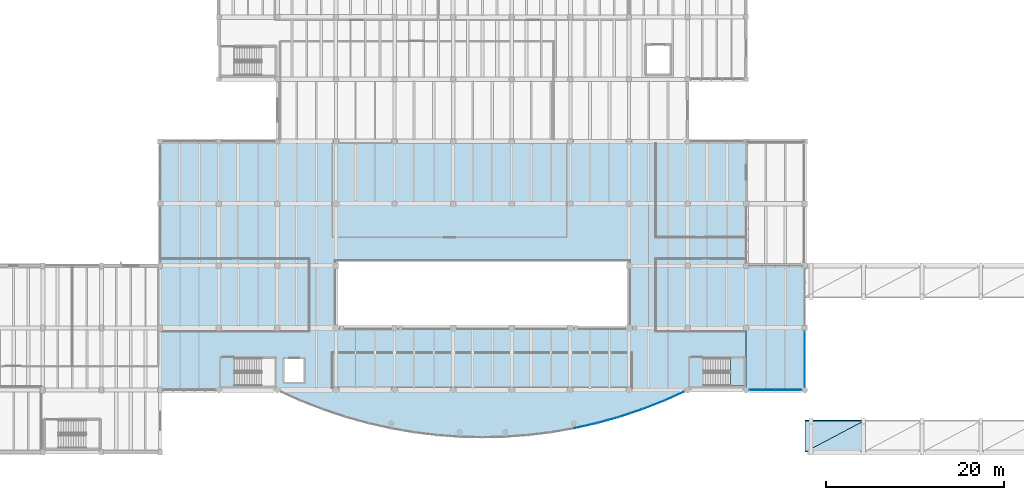
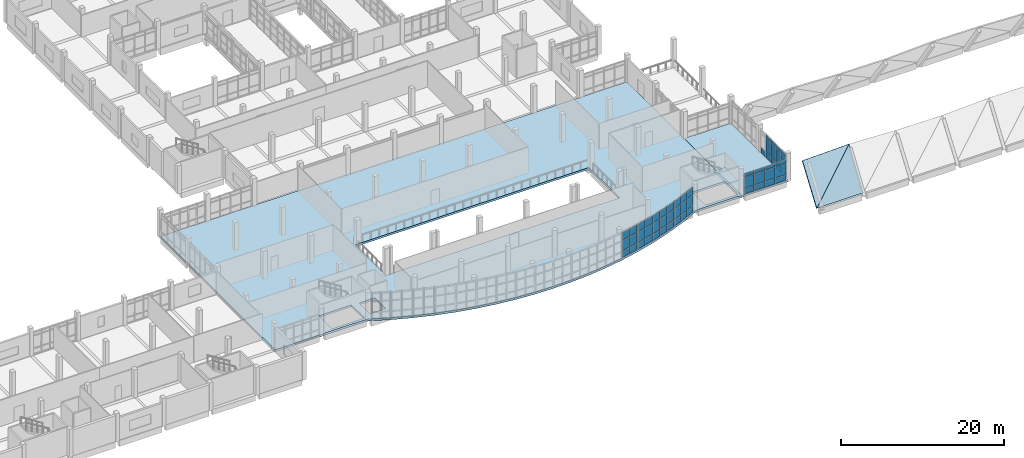
# One storey, part 39 of 67: 55 plates, 5 slabs, 9 elements without a shape of their own.
"""IFC4 building model written with IfcOpenShell, lengths in metres."""

from ifc_helpers import new_model, si_unit, direction, frame, origin, origin_2d, place, context, subcontext, project, spatial, polyline, rectangle, outline, extrude, material, layer, layer_set, type_object, element, aggregate, save


model = new_model("IFC4")

# Units and contexts
model_context = context("Model", 3, precision=1e-05, world=origin(), true_north=direction((0.0, 1.0)))
body_context = subcontext(model_context, "Body", "Model", "MODEL_VIEW")
ifc_project = project(units=[si_unit("LENGTHUNIT", "METRE"), si_unit("AREAUNIT", "SQUARE_METRE"), si_unit("VOLUMEUNIT", "CUBIC_METRE"), si_unit("PLANEANGLEUNIT", "RADIAN"), si_unit("MASSUNIT", "GRAM", prefix="KILO")], contexts=[model_context])

# Site, building, storey
site_placement = place(None, origin())
site = spatial("IfcSite", under=ifc_project, at=site_placement, CompositionType="ELEMENT")
building_placement = place(site_placement, origin())
building = spatial("IfcBuilding", under=site, at=building_placement, Name="Ciguamira Faculty of Natural Sciences", CompositionType="ELEMENT")
storey_placement = place(building_placement, frame((0.0, 0.0, 8.39990234375)))
storey = spatial("IfcBuildingStorey", under=building, at=storey_placement, Name="L02", CompositionType="ELEMENT", Elevation=8.39990234375)

# Curtain wall, plates
ifc_material_1 = material(Name="Anodized aluminium curtain wall", Category="aluminium")
curtain_wall_type_1 = type_object("IfcCurtainWallType", Name="CurtainWall_CW-07", PredefinedType="USERDEFINED", material=ifc_material_1)
curtain_wall_1_placement = place(storey_placement, origin())
curtain_wall_1 = element("IfcCurtainWall", 1, at=curtain_wall_1_placement, inside=storey, type_object=curtain_wall_type_1, Name="L02 unitised curtain wall 0055", ObjectType="UNITISED CURTAIN WALL", PredefinedType="USERDEFINED")
ifc_material_2 = material(Name="Low-E laminated solar glass", Category="glass")
ifc_layer_1 = layer(ifc_material_2, 0.028076171875, Name="Low-E laminated solar glass")
ifc_layer_set_1 = layer_set([ifc_layer_1], Name="Low-E laminated solar glass")
plate_type = type_object("IfcPlateType", Name="CWPanel_CWP-01", PredefinedType="CURTAIN_PANEL", material=ifc_layer_set_1)
plate_1_placement = place(storey_placement, frame((117.78369140625, 10.0, 0.06005859375), z_axis=(0.0, 0.0, 1.0), x_axis=(1.0, 0.0, 0.0)))
plate_1 = element("IfcPlate", 2, at=plate_1_placement, type_object=plate_type, Name="CW-07 panel 1.1", PredefinedType="CURTAIN_PANEL", context=body_context, shape_type="SweptSolid", body=[
    extrude(rectangle(XDim=1.3974609375, YDim=0.028076171875, at=origin_2d()), origin(), (0.0, 0.0, 1.0), 0.81005859375),
])
plate_2_placement = place(storey_placement, frame((117.78369140625, 10.0, 0.93017578125), z_axis=(0.0, 0.0, 1.0), x_axis=(1.0, 0.0, 0.0)))
plate_2 = element("IfcPlate", 3, at=plate_2_placement, type_object=plate_type, Name="CW-07 panel 1.2", PredefinedType="CURTAIN_PANEL", context=body_context, shape_type="SweptSolid", body=[
    extrude(rectangle(XDim=1.3974609375, YDim=0.028076171875, at=origin_2d()), origin(), (0.0, 0.0, 1.0), 1.625),
])
plate_3_placement = place(storey_placement, frame((117.78369140625, 10.0, 2.615234375), z_axis=(0.0, 0.0, 1.0), x_axis=(1.0, 0.0, 0.0)))
plate_3 = element("IfcPlate", 4, at=plate_3_placement, type_object=plate_type, Name="CW-07 panel 1.3", PredefinedType="CURTAIN_PANEL", context=body_context, shape_type="SweptSolid", body=[
    extrude(rectangle(XDim=1.3974609375, YDim=0.028076171875, at=origin_2d()), origin(), (0.0, 0.0, 1.0), 0.4599609375),
])
plate_4_placement = place(storey_placement, frame((119.25634765625, 10.0, 0.06005859375), z_axis=(0.0, 0.0, 1.0), x_axis=(1.0, 0.0, 0.0)))
plate_4 = element("IfcPlate", 5, at=plate_4_placement, type_object=plate_type, Name="CW-07 panel 2.1", PredefinedType="CURTAIN_PANEL", context=body_context, shape_type="SweptSolid", body=[
    extrude(rectangle(XDim=1.427490234375, YDim=0.028076171875, at=origin_2d()), origin(), (0.0, 0.0, 1.0), 0.81005859375),
])
plate_5_placement = place(storey_placement, frame((119.25634765625, 10.0, 0.93017578125), z_axis=(0.0, 0.0, 1.0), x_axis=(1.0, 0.0, 0.0)))
plate_5 = element("IfcPlate", 6, at=plate_5_placement, type_object=plate_type, Name="CW-07 panel 2.2", PredefinedType="CURTAIN_PANEL", context=body_context, shape_type="SweptSolid", body=[
    extrude(rectangle(XDim=1.427490234375, YDim=0.028076171875, at=origin_2d()), origin(), (0.0, 0.0, 1.0), 1.625),
])
plate_6_placement = place(storey_placement, frame((119.25634765625, 10.0, 2.615234375), z_axis=(0.0, 0.0, 1.0), x_axis=(1.0, 0.0, 0.0)))
plate_6 = element("IfcPlate", 7, at=plate_6_placement, type_object=plate_type, Name="CW-07 panel 2.3", PredefinedType="CURTAIN_PANEL", context=body_context, shape_type="SweptSolid", body=[
    extrude(rectangle(XDim=1.427490234375, YDim=0.028076171875, at=origin_2d()), origin(), (0.0, 0.0, 1.0), 0.4599609375),
])
plate_7_placement = place(storey_placement, frame((120.74365234375, 10.0, 0.06005859375), z_axis=(0.0, 0.0, 1.0), x_axis=(1.0, 0.0, 0.0)))
plate_7 = element("IfcPlate", 8, at=plate_7_placement, type_object=plate_type, Name="CW-07 panel 3.1", PredefinedType="CURTAIN_PANEL", context=body_context, shape_type="SweptSolid", body=[
    extrude(rectangle(XDim=1.427490234375, YDim=0.028076171875, at=origin_2d()), origin(), (0.0, 0.0, 1.0), 0.81005859375),
])
plate_8_placement = place(storey_placement, frame((120.74365234375, 10.0, 0.93017578125), z_axis=(0.0, 0.0, 1.0), x_axis=(1.0, 0.0, 0.0)))
plate_8 = element("IfcPlate", 9, at=plate_8_placement, type_object=plate_type, Name="CW-07 panel 3.2", PredefinedType="CURTAIN_PANEL", context=body_context, shape_type="SweptSolid", body=[
    extrude(rectangle(XDim=1.427490234375, YDim=0.028076171875, at=origin_2d()), origin(), (0.0, 0.0, 1.0), 1.625),
])
plate_9_placement = place(storey_placement, frame((120.74365234375, 10.0, 2.615234375), z_axis=(0.0, 0.0, 1.0), x_axis=(1.0, 0.0, 0.0)))
plate_9 = element("IfcPlate", 10, at=plate_9_placement, type_object=plate_type, Name="CW-07 panel 3.3", PredefinedType="CURTAIN_PANEL", context=body_context, shape_type="SweptSolid", body=[
    extrude(rectangle(XDim=1.427490234375, YDim=0.028076171875, at=origin_2d()), origin(), (0.0, 0.0, 1.0), 0.4599609375),
])
plate_10_placement = place(storey_placement, frame((122.21630859375, 10.0, 0.06005859375), z_axis=(0.0, 0.0, 1.0), x_axis=(1.0, 0.0, 0.0)))
plate_10 = element("IfcPlate", 11, at=plate_10_placement, type_object=plate_type, Name="CW-07 panel 4.1", PredefinedType="CURTAIN_PANEL", context=body_context, shape_type="SweptSolid", body=[
    extrude(rectangle(XDim=1.3974609375, YDim=0.028076171875, at=origin_2d()), origin(), (0.0, 0.0, 1.0), 0.81005859375),
])
plate_11_placement = place(storey_placement, frame((122.21630859375, 10.0, 0.93017578125), z_axis=(0.0, 0.0, 1.0), x_axis=(1.0, 0.0, 0.0)))
plate_11 = element("IfcPlate", 12, at=plate_11_placement, type_object=plate_type, Name="CW-07 panel 4.2", PredefinedType="CURTAIN_PANEL", context=body_context, shape_type="SweptSolid", body=[
    extrude(rectangle(XDim=1.3974609375, YDim=0.028076171875, at=origin_2d()), origin(), (0.0, 0.0, 1.0), 1.625),
])
plate_12_placement = place(storey_placement, frame((122.21630859375, 10.0, 2.615234375), z_axis=(0.0, 0.0, 1.0), x_axis=(1.0, 0.0, 0.0)))
plate_12 = element("IfcPlate", 13, at=plate_12_placement, type_object=plate_type, Name="CW-07 panel 4.3", PredefinedType="CURTAIN_PANEL", context=body_context, shape_type="SweptSolid", body=[
    extrude(rectangle(XDim=1.3974609375, YDim=0.028076171875, at=origin_2d()), origin(), (0.0, 0.0, 1.0), 0.4599609375),
])
aggregate(curtain_wall_1, [plate_1, plate_2, plate_3, plate_4, plate_5, plate_6, plate_7, plate_8, plate_9, plate_10, plate_11, plate_12])

curtain_wall_2_placement = place(storey_placement, origin())
curtain_wall_2 = element("IfcCurtainWall", 14, at=curtain_wall_2_placement, inside=storey, type_object=curtain_wall_type_1, Name="L02 unitised curtain wall 0079", ObjectType="UNITISED CURTAIN WALL", PredefinedType="USERDEFINED")
plate_13_placement = place(storey_placement, frame((123.300048828125, 10.9775390625, 0.06005859375), z_axis=(0.0, 0.0, 1.0), x_axis=(0.0, 1.0, 0.0)))
plate_13 = element("IfcPlate", 15, at=plate_13_placement, type_object=plate_type, Name="CW-07 panel 1.1", PredefinedType="CURTAIN_PANEL", context=body_context, shape_type="SweptSolid", body=[
    extrude(rectangle(XDim=1.18505859375, YDim=0.028076171875, at=origin_2d()), origin(), (0.0, 0.0, 1.0), 0.81005859375),
])
plate_14_placement = place(storey_placement, frame((123.300048828125, 10.9775390625, 0.93017578125), z_axis=(0.0, 0.0, 1.0), x_axis=(0.0, 1.0, 0.0)))
plate_14 = element("IfcPlate", 16, at=plate_14_placement, type_object=plate_type, Name="CW-07 panel 1.2", PredefinedType="CURTAIN_PANEL", context=body_context, shape_type="SweptSolid", body=[
    extrude(rectangle(XDim=1.18505859375, YDim=0.028076171875, at=origin_2d()), origin(), (0.0, 0.0, 1.0), 2.054931640625),
])
plate_15_placement = place(storey_placement, frame((123.300048828125, 10.9775390625, 3.045166015625), z_axis=(0.0, 0.0, 1.0), x_axis=(0.0, 1.0, 0.0)))
plate_15 = element("IfcPlate", 17, at=plate_15_placement, type_object=plate_type, Name="CW-07 panel 1.3", PredefinedType="CURTAIN_PANEL", context=body_context, shape_type="SweptSolid", body=[
    extrude(rectangle(XDim=1.18505859375, YDim=0.028076171875, at=origin_2d()), origin(), (0.0, 0.0, 1.0), 0.4599609375),
])
plate_16_placement = place(storey_placement, frame((123.300048828125, 12.237548828125, 0.06005859375), z_axis=(0.0, 0.0, 1.0), x_axis=(0.0, 1.0, 0.0)))
plate_16 = element("IfcPlate", 18, at=plate_16_placement, type_object=plate_type, Name="CW-07 panel 2.1", PredefinedType="CURTAIN_PANEL", context=body_context, shape_type="SweptSolid", body=[
    extrude(rectangle(XDim=1.215087890625, YDim=0.028076171875, at=origin_2d()), origin(), (0.0, 0.0, 1.0), 0.81005859375),
])
plate_17_placement = place(storey_placement, frame((123.300048828125, 12.237548828125, 0.93017578125), z_axis=(0.0, 0.0, 1.0), x_axis=(0.0, 1.0, 0.0)))
plate_17 = element("IfcPlate", 19, at=plate_17_placement, type_object=plate_type, Name="CW-07 panel 2.2", PredefinedType="CURTAIN_PANEL", context=body_context, shape_type="SweptSolid", body=[
    extrude(rectangle(XDim=1.215087890625, YDim=0.028076171875, at=origin_2d()), origin(), (0.0, 0.0, 1.0), 2.054931640625),
])
plate_18_placement = place(storey_placement, frame((123.300048828125, 12.237548828125, 3.045166015625), z_axis=(0.0, 0.0, 1.0), x_axis=(0.0, 1.0, 0.0)))
plate_18 = element("IfcPlate", 20, at=plate_18_placement, type_object=plate_type, Name="CW-07 panel 2.3", PredefinedType="CURTAIN_PANEL", context=body_context, shape_type="SweptSolid", body=[
    extrude(rectangle(XDim=1.215087890625, YDim=0.028076171875, at=origin_2d()), origin(), (0.0, 0.0, 1.0), 0.4599609375),
])
plate_19_placement = place(storey_placement, frame((123.300048828125, 13.512451171875, 0.06005859375), z_axis=(0.0, 0.0, 1.0), x_axis=(0.0, 1.0, 0.0)))
plate_19 = element("IfcPlate", 21, at=plate_19_placement, type_object=plate_type, Name="CW-07 panel 3.1", PredefinedType="CURTAIN_PANEL", context=body_context, shape_type="SweptSolid", body=[
    extrude(rectangle(XDim=1.215087890625, YDim=0.028076171875, at=origin_2d()), origin(), (0.0, 0.0, 1.0), 0.81005859375),
])
plate_20_placement = place(storey_placement, frame((123.300048828125, 13.512451171875, 0.93017578125), z_axis=(0.0, 0.0, 1.0), x_axis=(0.0, 1.0, 0.0)))
plate_20 = element("IfcPlate", 22, at=plate_20_placement, type_object=plate_type, Name="CW-07 panel 3.2", PredefinedType="CURTAIN_PANEL", context=body_context, shape_type="SweptSolid", body=[
    extrude(rectangle(XDim=1.215087890625, YDim=0.028076171875, at=origin_2d()), origin(), (0.0, 0.0, 1.0), 2.054931640625),
])
plate_21_placement = place(storey_placement, frame((123.300048828125, 13.512451171875, 3.045166015625), z_axis=(0.0, 0.0, 1.0), x_axis=(0.0, 1.0, 0.0)))
plate_21 = element("IfcPlate", 23, at=plate_21_placement, type_object=plate_type, Name="CW-07 panel 3.3", PredefinedType="CURTAIN_PANEL", context=body_context, shape_type="SweptSolid", body=[
    extrude(rectangle(XDim=1.215087890625, YDim=0.028076171875, at=origin_2d()), origin(), (0.0, 0.0, 1.0), 0.4599609375),
])
plate_22_placement = place(storey_placement, frame((123.300048828125, 14.78759765625, 0.06005859375), z_axis=(0.0, 0.0, 1.0), x_axis=(0.0, 1.0, 0.0)))
plate_22 = element("IfcPlate", 24, at=plate_22_placement, type_object=plate_type, Name="CW-07 panel 4.1", PredefinedType="CURTAIN_PANEL", context=body_context, shape_type="SweptSolid", body=[
    extrude(rectangle(XDim=1.215087890625, YDim=0.028076171875, at=origin_2d()), origin(), (0.0, 0.0, 1.0), 0.81005859375),
])
plate_23_placement = place(storey_placement, frame((123.300048828125, 14.78759765625, 0.93017578125), z_axis=(0.0, 0.0, 1.0), x_axis=(0.0, 1.0, 0.0)))
plate_23 = element("IfcPlate", 25, at=plate_23_placement, type_object=plate_type, Name="CW-07 panel 4.2", PredefinedType="CURTAIN_PANEL", context=body_context, shape_type="SweptSolid", body=[
    extrude(rectangle(XDim=1.215087890625, YDim=0.028076171875, at=origin_2d()), origin(), (0.0, 0.0, 1.0), 2.054931640625),
])
plate_24_placement = place(storey_placement, frame((123.300048828125, 14.78759765625, 3.045166015625), z_axis=(0.0, 0.0, 1.0), x_axis=(0.0, 1.0, 0.0)))
plate_24 = element("IfcPlate", 26, at=plate_24_placement, type_object=plate_type, Name="CW-07 panel 4.3", PredefinedType="CURTAIN_PANEL", context=body_context, shape_type="SweptSolid", body=[
    extrude(rectangle(XDim=1.215087890625, YDim=0.028076171875, at=origin_2d()), origin(), (0.0, 0.0, 1.0), 0.4599609375),
])
plate_25_placement = place(storey_placement, frame((123.300048828125, 16.047607421875, 0.06005859375), z_axis=(0.0, 0.0, 1.0), x_axis=(0.0, 1.0, 0.0)))
plate_25 = element("IfcPlate", 27, at=plate_25_placement, type_object=plate_type, Name="CW-07 panel 5.1", PredefinedType="CURTAIN_PANEL", context=body_context, shape_type="SweptSolid", body=[
    extrude(rectangle(XDim=1.18505859375, YDim=0.028076171875, at=origin_2d()), origin(), (0.0, 0.0, 1.0), 0.81005859375),
])
aggregate(curtain_wall_2, [plate_13, plate_14, plate_15, plate_16, plate_17, plate_18, plate_19, plate_20, plate_21, plate_22, plate_23, plate_24, plate_25])

curtain_wall_3_placement = place(storey_placement, origin())
curtain_wall_3 = element("IfcCurtainWall", 28, at=curtain_wall_3_placement, inside=storey, type_object=curtain_wall_type_1, Name="L02 south gallery curved curtain wall 14", ObjectType="UNITISED CURTAIN WALL", PredefinedType="USERDEFINED")
plate_26_placement = place(storey_placement, frame((97.927978515625, 5.834716796875, 0.080078125), z_axis=(0.0, 0.0, 1.0), x_axis=(0.975762990759, 0.218830038763, 0.0)))
plate_26 = element("IfcPlate", 29, at=plate_26_placement, type_object=plate_type, Name="CW-07 panel 1.1", PredefinedType="CURTAIN_PANEL", context=body_context, shape_type="SweptSolid", body=[
    extrude(rectangle(XDim=1.195068359375, YDim=0.028076171875, at=origin_2d()), origin(), (0.0, 0.0, 1.0), 0.929931640625),
])
plate_27_placement = place(storey_placement, frame((97.927978515625, 5.834716796875, 1.090087890625), z_axis=(0.0, 0.0, 1.0), x_axis=(0.975762990759, 0.218830038763, 0.0)))
plate_27 = element("IfcPlate", 30, at=plate_27_placement, type_object=plate_type, Name="CW-07 panel 1.2", PredefinedType="CURTAIN_PANEL", context=body_context, shape_type="SweptSolid", body=[
    extrude(rectangle(XDim=1.195068359375, YDim=0.028076171875, at=origin_2d()), origin(), (0.0, 0.0, 1.0), 1.52001953125),
])
plate_28_placement = place(storey_placement, frame((97.927978515625, 5.834716796875, 2.690185546875), z_axis=(0.0, 0.0, 1.0), x_axis=(0.975762990759, 0.218830038763, 0.0)))
plate_28 = element("IfcPlate", 31, at=plate_28_placement, type_object=plate_type, Name="CW-07 panel 1.3", PredefinedType="CURTAIN_PANEL", context=body_context, shape_type="SweptSolid", body=[
    extrude(rectangle(XDim=1.195068359375, YDim=0.028076171875, at=origin_2d()), origin(), (0.0, 0.0, 1.0), 1.1298828125),
])
plate_29_placement = place(storey_placement, frame((99.172119140625, 6.11376953125, 0.080078125), z_axis=(0.0, 0.0, 1.0), x_axis=(0.975762990759, 0.218830038763, 0.0)))
plate_29 = element("IfcPlate", 32, at=plate_29_placement, type_object=plate_type, Name="CW-07 panel 2.1", PredefinedType="CURTAIN_PANEL", context=body_context, shape_type="SweptSolid", body=[
    extrude(rectangle(XDim=1.195068359375, YDim=0.028076171875, at=origin_2d()), origin(), (0.0, 0.0, 1.0), 0.929931640625),
])
plate_30_placement = place(storey_placement, frame((99.172119140625, 6.11376953125, 1.090087890625), z_axis=(0.0, 0.0, 1.0), x_axis=(0.975762990759, 0.218830038763, 0.0)))
plate_30 = element("IfcPlate", 33, at=plate_30_placement, type_object=plate_type, Name="CW-07 panel 2.2", PredefinedType="CURTAIN_PANEL", context=body_context, shape_type="SweptSolid", body=[
    extrude(rectangle(XDim=1.195068359375, YDim=0.028076171875, at=origin_2d()), origin(), (0.0, 0.0, 1.0), 1.52001953125),
])
plate_31_placement = place(storey_placement, frame((99.172119140625, 6.11376953125, 2.690185546875), z_axis=(0.0, 0.0, 1.0), x_axis=(0.975762990759, 0.218830038763, 0.0)))
plate_31 = element("IfcPlate", 34, at=plate_31_placement, type_object=plate_type, Name="CW-07 panel 2.3", PredefinedType="CURTAIN_PANEL", context=body_context, shape_type="SweptSolid", body=[
    extrude(rectangle(XDim=1.195068359375, YDim=0.028076171875, at=origin_2d()), origin(), (0.0, 0.0, 1.0), 1.1298828125),
])
aggregate(curtain_wall_3, [plate_26, plate_27, plate_28, plate_29, plate_30, plate_31])

curtain_wall_type_2 = type_object("IfcCurtainWallType", Name="CurtainWall_CW-08", PredefinedType="USERDEFINED", material=ifc_material_1)
curtain_wall_4_placement = place(storey_placement, origin())
curtain_wall_4 = element("IfcCurtainWall", 35, at=curtain_wall_4_placement, inside=storey, type_object=curtain_wall_type_2, Name="L02 south gallery curved curtain wall 15", ObjectType="UNITISED CURTAIN WALL", PredefinedType="USERDEFINED")
plate_32_placement = place(storey_placement, frame((100.494140625, 6.445556640625, 0.080078125), z_axis=(0.0, 0.0, 1.0), x_axis=(0.963573286652, 0.267444426472, 0.0)))
plate_32 = element("IfcPlate", 36, at=plate_32_placement, type_object=plate_type, Name="CW-08 panel 1.1", PredefinedType="CURTAIN_PANEL", context=body_context, shape_type="SweptSolid", body=[
    extrude(rectangle(XDim=1.2119140625, YDim=0.028076171875, at=origin_2d()), origin(), (0.0, 0.0, 1.0), 0.929931640625),
])
plate_33_placement = place(storey_placement, frame((100.494140625, 6.445556640625, 1.090087890625), z_axis=(0.0, 0.0, 1.0), x_axis=(0.963573286652, 0.267444426472, 0.0)))
plate_33 = element("IfcPlate", 37, at=plate_33_placement, type_object=plate_type, Name="CW-08 panel 1.2", PredefinedType="CURTAIN_PANEL", context=body_context, shape_type="SweptSolid", body=[
    extrude(rectangle(XDim=1.2119140625, YDim=0.028076171875, at=origin_2d()), origin(), (0.0, 0.0, 1.0), 1.52001953125),
])
plate_34_placement = place(storey_placement, frame((100.494140625, 6.445556640625, 2.690185546875), z_axis=(0.0, 0.0, 1.0), x_axis=(0.963573286652, 0.267444426472, 0.0)))
plate_34 = element("IfcPlate", 38, at=plate_34_placement, type_object=plate_type, Name="CW-08 panel 1.3", PredefinedType="CURTAIN_PANEL", context=body_context, shape_type="SweptSolid", body=[
    extrude(rectangle(XDim=1.2119140625, YDim=0.028076171875, at=origin_2d()), origin(), (0.0, 0.0, 1.0), 1.1298828125),
])
plate_35_placement = place(storey_placement, frame((101.739013671875, 6.791015625, 0.080078125), z_axis=(0.0, 0.0, 1.0), x_axis=(0.963573286652, 0.267444426472, 0.0)))
plate_35 = element("IfcPlate", 39, at=plate_35_placement, type_object=plate_type, Name="CW-08 panel 2.1", PredefinedType="CURTAIN_PANEL", context=body_context, shape_type="SweptSolid", body=[
    extrude(rectangle(XDim=1.2119140625, YDim=0.028076171875, at=origin_2d()), origin(), (0.0, 0.0, 1.0), 0.929931640625),
])
plate_36_placement = place(storey_placement, frame((101.739013671875, 6.791015625, 1.090087890625), z_axis=(0.0, 0.0, 1.0), x_axis=(0.963573286652, 0.267444426472, 0.0)))
plate_36 = element("IfcPlate", 40, at=plate_36_placement, type_object=plate_type, Name="CW-08 panel 2.2", PredefinedType="CURTAIN_PANEL", context=body_context, shape_type="SweptSolid", body=[
    extrude(rectangle(XDim=1.2119140625, YDim=0.028076171875, at=origin_2d()), origin(), (0.0, 0.0, 1.0), 1.52001953125),
])
plate_37_placement = place(storey_placement, frame((101.739013671875, 6.791015625, 2.690185546875), z_axis=(0.0, 0.0, 1.0), x_axis=(0.963573286652, 0.267444426472, 0.0)))
plate_37 = element("IfcPlate", 41, at=plate_37_placement, type_object=plate_type, Name="CW-08 panel 2.3", PredefinedType="CURTAIN_PANEL", context=body_context, shape_type="SweptSolid", body=[
    extrude(rectangle(XDim=1.2119140625, YDim=0.028076171875, at=origin_2d()), origin(), (0.0, 0.0, 1.0), 1.1298828125),
])
aggregate(curtain_wall_4, [plate_32, plate_33, plate_34, plate_35, plate_36, plate_37])

curtain_wall_type_3 = type_object("IfcCurtainWallType", Name="CurtainWall_CW-09", PredefinedType="USERDEFINED", material=ifc_material_1)
curtain_wall_5_placement = place(storey_placement, origin())
curtain_wall_5 = element("IfcCurtainWall", 42, at=curtain_wall_5_placement, inside=storey, type_object=curtain_wall_type_3, Name="L02 south gallery curved curtain wall 16", ObjectType="UNITISED CURTAIN WALL", PredefinedType="USERDEFINED")
plate_38_placement = place(storey_placement, frame((103.060546875, 7.194580078125, 0.080078125), z_axis=(0.0, 0.0, 1.0), x_axis=(0.948735033862, 0.316072516242, 0.0)))
plate_38 = element("IfcPlate", 43, at=plate_38_placement, type_object=plate_type, Name="CW-09 panel 1.1", PredefinedType="CURTAIN_PANEL", context=body_context, shape_type="SweptSolid", body=[
    extrude(rectangle(XDim=1.232666015625, YDim=0.028076171875, at=origin_2d()), origin(), (0.0, 0.0, 1.0), 0.929931640625),
])
plate_39_placement = place(storey_placement, frame((103.060546875, 7.194580078125, 1.090087890625), z_axis=(0.0, 0.0, 1.0), x_axis=(0.948735033862, 0.316072516242, 0.0)))
plate_39 = element("IfcPlate", 44, at=plate_39_placement, type_object=plate_type, Name="CW-09 panel 1.2", PredefinedType="CURTAIN_PANEL", context=body_context, shape_type="SweptSolid", body=[
    extrude(rectangle(XDim=1.232666015625, YDim=0.028076171875, at=origin_2d()), origin(), (0.0, 0.0, 1.0), 1.52001953125),
])
plate_40_placement = place(storey_placement, frame((103.060546875, 7.194580078125, 2.690185546875), z_axis=(0.0, 0.0, 1.0), x_axis=(0.948735033862, 0.316072516242, 0.0)))
plate_40 = element("IfcPlate", 45, at=plate_40_placement, type_object=plate_type, Name="CW-09 panel 1.3", PredefinedType="CURTAIN_PANEL", context=body_context, shape_type="SweptSolid", body=[
    extrude(rectangle(XDim=1.232666015625, YDim=0.028076171875, at=origin_2d()), origin(), (0.0, 0.0, 1.0), 1.1298828125),
])
plate_41_placement = place(storey_placement, frame((104.30615234375, 7.609619140625, 0.080078125), z_axis=(0.0, 0.0, 1.0), x_axis=(0.948735033862, 0.316072516242, 0.0)))
plate_41 = element("IfcPlate", 46, at=plate_41_placement, type_object=plate_type, Name="CW-09 panel 2.1", PredefinedType="CURTAIN_PANEL", context=body_context, shape_type="SweptSolid", body=[
    extrude(rectangle(XDim=1.232666015625, YDim=0.028076171875, at=origin_2d()), origin(), (0.0, 0.0, 1.0), 0.929931640625),
])
plate_42_placement = place(storey_placement, frame((104.30615234375, 7.609619140625, 1.090087890625), z_axis=(0.0, 0.0, 1.0), x_axis=(0.948735033862, 0.316072516242, 0.0)))
plate_42 = element("IfcPlate", 47, at=plate_42_placement, type_object=plate_type, Name="CW-09 panel 2.2", PredefinedType="CURTAIN_PANEL", context=body_context, shape_type="SweptSolid", body=[
    extrude(rectangle(XDim=1.232666015625, YDim=0.028076171875, at=origin_2d()), origin(), (0.0, 0.0, 1.0), 1.52001953125),
])
plate_43_placement = place(storey_placement, frame((104.30615234375, 7.609619140625, 2.690185546875), z_axis=(0.0, 0.0, 1.0), x_axis=(0.948735033862, 0.316072516242, 0.0)))
plate_43 = element("IfcPlate", 48, at=plate_43_placement, type_object=plate_type, Name="CW-09 panel 2.3", PredefinedType="CURTAIN_PANEL", context=body_context, shape_type="SweptSolid", body=[
    extrude(rectangle(XDim=1.232666015625, YDim=0.028076171875, at=origin_2d()), origin(), (0.0, 0.0, 1.0), 1.1298828125),
])
aggregate(curtain_wall_5, [plate_38, plate_39, plate_40, plate_41, plate_42, plate_43])

curtain_wall_type_4 = type_object("IfcCurtainWallType", Name="CurtainWall_CW-10", PredefinedType="USERDEFINED", material=ifc_material_1)
curtain_wall_6_placement = place(storey_placement, origin())
curtain_wall_6 = element("IfcCurtainWall", 49, at=curtain_wall_6_placement, inside=storey, type_object=curtain_wall_type_4, Name="L02 south gallery curved curtain wall 17", ObjectType="UNITISED CURTAIN WALL", PredefinedType="USERDEFINED")
plate_44_placement = place(storey_placement, frame((105.626953125, 8.088134765625, 0.080078125), z_axis=(0.0, 0.0, 1.0), x_axis=(0.931122296337, 0.36470710065, 0.0)))
plate_44 = element("IfcPlate", 50, at=plate_44_placement, type_object=plate_type, Name="CW-10 panel 1.1", PredefinedType="CURTAIN_PANEL", context=body_context, shape_type="SweptSolid", body=[
    extrude(rectangle(XDim=1.25830078125, YDim=0.028076171875, at=origin_2d()), origin(), (0.0, 0.0, 1.0), 0.929931640625),
])
plate_45_placement = place(storey_placement, frame((105.626953125, 8.088134765625, 1.090087890625), z_axis=(0.0, 0.0, 1.0), x_axis=(0.931122296337, 0.36470710065, 0.0)))
plate_45 = element("IfcPlate", 51, at=plate_45_placement, type_object=plate_type, Name="CW-10 panel 1.2", PredefinedType="CURTAIN_PANEL", context=body_context, shape_type="SweptSolid", body=[
    extrude(rectangle(XDim=1.25830078125, YDim=0.028076171875, at=origin_2d()), origin(), (0.0, 0.0, 1.0), 1.52001953125),
])
plate_46_placement = place(storey_placement, frame((105.626953125, 8.088134765625, 2.690185546875), z_axis=(0.0, 0.0, 1.0), x_axis=(0.931122296337, 0.36470710065, 0.0)))
plate_46 = element("IfcPlate", 52, at=plate_46_placement, type_object=plate_type, Name="CW-10 panel 1.3", PredefinedType="CURTAIN_PANEL", context=body_context, shape_type="SweptSolid", body=[
    extrude(rectangle(XDim=1.25830078125, YDim=0.028076171875, at=origin_2d()), origin(), (0.0, 0.0, 1.0), 1.1298828125),
])
plate_47_placement = place(storey_placement, frame((106.873046875, 8.576171875, 0.080078125), z_axis=(0.0, 0.0, 1.0), x_axis=(0.931122296337, 0.36470710065, 0.0)))
plate_47 = element("IfcPlate", 53, at=plate_47_placement, type_object=plate_type, Name="CW-10 panel 2.1", PredefinedType="CURTAIN_PANEL", context=body_context, shape_type="SweptSolid", body=[
    extrude(rectangle(XDim=1.25830078125, YDim=0.028076171875, at=origin_2d()), origin(), (0.0, 0.0, 1.0), 0.929931640625),
])
plate_48_placement = place(storey_placement, frame((106.873046875, 8.576171875, 1.090087890625), z_axis=(0.0, 0.0, 1.0), x_axis=(0.931122296337, 0.36470710065, 0.0)))
plate_48 = element("IfcPlate", 54, at=plate_48_placement, type_object=plate_type, Name="CW-10 panel 2.2", PredefinedType="CURTAIN_PANEL", context=body_context, shape_type="SweptSolid", body=[
    extrude(rectangle(XDim=1.25830078125, YDim=0.028076171875, at=origin_2d()), origin(), (0.0, 0.0, 1.0), 1.52001953125),
])
plate_49_placement = place(storey_placement, frame((106.873046875, 8.576171875, 2.690185546875), z_axis=(0.0, 0.0, 1.0), x_axis=(0.931122296337, 0.36470710065, 0.0)))
plate_49 = element("IfcPlate", 55, at=plate_49_placement, type_object=plate_type, Name="CW-10 panel 2.3", PredefinedType="CURTAIN_PANEL", context=body_context, shape_type="SweptSolid", body=[
    extrude(rectangle(XDim=1.25830078125, YDim=0.028076171875, at=origin_2d()), origin(), (0.0, 0.0, 1.0), 1.1298828125),
])
aggregate(curtain_wall_6, [plate_44, plate_45, plate_46, plate_47, plate_48, plate_49])

curtain_wall_type_5 = type_object("IfcCurtainWallType", Name="CurtainWall_CW-11", PredefinedType="USERDEFINED", material=ifc_material_1)
curtain_wall_7_placement = place(storey_placement, origin())
curtain_wall_7 = element("IfcCurtainWall", 56, at=curtain_wall_7_placement, inside=storey, type_object=curtain_wall_type_5, Name="L02 south gallery curved curtain wall 18", ObjectType="UNITISED CURTAIN WALL", PredefinedType="USERDEFINED")
plate_50_placement = place(storey_placement, frame((108.09765625, 9.091064453125, 0.080078125), z_axis=(0.0, 0.0, 1.0), x_axis=(0.910580503774, 0.41333176281, 0.0)))
plate_50 = element("IfcPlate", 57, at=plate_50_placement, type_object=plate_type, Name="CW-11 panel 1.1", PredefinedType="CURTAIN_PANEL", context=body_context, shape_type="SweptSolid", body=[
    extrude(rectangle(XDim=1.079345703125, YDim=0.028076171875, at=origin_2d()), origin(), (0.0, 0.0, 1.0), 0.929931640625),
])
plate_51_placement = place(storey_placement, frame((108.09765625, 9.091064453125, 1.090087890625), z_axis=(0.0, 0.0, 1.0), x_axis=(0.910580503774, 0.41333176281, 0.0)))
plate_51 = element("IfcPlate", 58, at=plate_51_placement, type_object=plate_type, Name="CW-11 panel 1.2", PredefinedType="CURTAIN_PANEL", context=body_context, shape_type="SweptSolid", body=[
    extrude(rectangle(XDim=1.079345703125, YDim=0.028076171875, at=origin_2d()), origin(), (0.0, 0.0, 1.0), 1.52001953125),
])
plate_52_placement = place(storey_placement, frame((108.09765625, 9.091064453125, 2.690185546875), z_axis=(0.0, 0.0, 1.0), x_axis=(0.910580503774, 0.41333176281, 0.0)))
plate_52 = element("IfcPlate", 59, at=plate_52_placement, type_object=plate_type, Name="CW-11 panel 1.3", PredefinedType="CURTAIN_PANEL", context=body_context, shape_type="SweptSolid", body=[
    extrude(rectangle(XDim=1.079345703125, YDim=0.028076171875, at=origin_2d()), origin(), (0.0, 0.0, 1.0), 1.1298828125),
])
plate_53_placement = place(storey_placement, frame((109.1533203125, 9.5703125, 0.080078125), z_axis=(0.0, 0.0, 1.0), x_axis=(0.910580503774, 0.41333176281, 0.0)))
plate_53 = element("IfcPlate", 60, at=plate_53_placement, type_object=plate_type, Name="CW-11 panel 2.1", PredefinedType="CURTAIN_PANEL", context=body_context, shape_type="SweptSolid", body=[
    extrude(rectangle(XDim=1.079345703125, YDim=0.028076171875, at=origin_2d()), origin(), (0.0, 0.0, 1.0), 0.929931640625),
])
plate_54_placement = place(storey_placement, frame((109.1533203125, 9.5703125, 1.090087890625), z_axis=(0.0, 0.0, 1.0), x_axis=(0.910580503774, 0.41333176281, 0.0)))
plate_54 = element("IfcPlate", 61, at=plate_54_placement, type_object=plate_type, Name="CW-11 panel 2.2", PredefinedType="CURTAIN_PANEL", context=body_context, shape_type="SweptSolid", body=[
    extrude(rectangle(XDim=1.079345703125, YDim=0.028076171875, at=origin_2d()), origin(), (0.0, 0.0, 1.0), 1.52001953125),
])
plate_55_placement = place(storey_placement, frame((109.1533203125, 9.5703125, 2.690185546875), z_axis=(0.0, 0.0, 1.0), x_axis=(0.910580503774, 0.41333176281, 0.0)))
plate_55 = element("IfcPlate", 62, at=plate_55_placement, type_object=plate_type, Name="CW-11 panel 2.3", PredefinedType="CURTAIN_PANEL", context=body_context, shape_type="SweptSolid", body=[
    extrude(rectangle(XDim=1.079345703125, YDim=0.028076171875, at=origin_2d()), origin(), (0.0, 0.0, 1.0), 1.1298828125),
])
aggregate(curtain_wall_7, [plate_50, plate_51, plate_52, plate_53, plate_54, plate_55])

# Slabs
ifc_material_3 = material(Name="Concrete C40/50", Category="concrete")
ifc_layer_2 = layer(ifc_material_3, 0.300048828125, Name="Concrete C40/50")
ifc_layer_set_2 = layer_set([ifc_layer_2], Name="Concrete C40/50")
slab_type_1 = type_object("IfcSlabType", Name="Slab_SF-02_300", PredefinedType="FLOOR", material=ifc_layer_set_2)
slab_1_placement = place(storey_placement, frame((0.0, 0.0, -0.2998046875)))
element("IfcSlab", 63, at=slab_1_placement, inside=storey, type_object=slab_type_1, Name="L02 V3 structural slab", PredefinedType="FLOOR", context=body_context, shape_type="SweptSolid", body=[
    extrude(outline(polyline([(50.75, 10.0), (63.89990234375, 10.0), (66.466796875, 8.8349609375), (69.033203125, 7.82958984375), (71.60009765625, 6.974609375), (74.166748046875, 6.26220703125), (76.7333984375, 5.6865234375), (79.300048828125, 5.2431640625), (81.86669921875, 4.928955078125), (84.433349609375, 4.7412109375), (87.0, 4.6787109375), (89.566650390625, 4.7412109375), (92.13330078125, 4.928955078125), (94.699951171875, 5.2431640625), (97.2666015625, 5.6865234375), (99.833251953125, 6.26220703125), (102.39990234375, 6.974609375), (104.966796875, 7.82958984375), (107.533203125, 8.8349609375), (110.10009765625, 10.0), (116.699951171875, 10.0), (116.699951171875, 38.0), (50.75, 38.0), (50.75, 10.0)]), holes=[polyline([(59.06005859375, 10.449951171875), (63.64990234375, 10.449951171875), (63.64990234375, 13.610107421875), (59.06005859375, 13.610107421875), (59.06005859375, 10.449951171875)]), polyline([(111.860107421875, 10.449951171875), (116.449951171875, 10.449951171875), (116.449951171875, 13.610107421875), (111.860107421875, 13.610107421875), (111.860107421875, 10.449951171875)]), polyline([(64.699951171875, 10.89990234375), (66.89990234375, 10.89990234375), (66.89990234375, 13.5), (64.699951171875, 13.5), (64.699951171875, 10.89990234375)]), polyline([(70.5, 17.0), (103.5, 17.0), (103.5, 24.5), (70.5, 24.5), (70.5, 17.0)])]), origin(), (0.0, 0.0, 1.0), 0.2998046875),
])
slab_2_placement = place(storey_placement, frame((0.0, 0.0, -0.2998046875)))
element("IfcSlab", 64, at=slab_2_placement, inside=storey, type_object=slab_type_1, Name="L02 V3E structural slab", PredefinedType="FLOOR", context=body_context, shape_type="SweptSolid", body=[
    extrude(outline(polyline([(116.699951171875, 10.0), (123.300048828125, 10.0), (123.300048828125, 24.0), (116.699951171875, 24.0), (116.699951171875, 10.0)])), origin(), (0.0, 0.0, 1.0), 0.2998046875),
])

# Roof, slabs
roof_type = type_object("IfcRoofType", Name="RoofSys_RF-SHL", PredefinedType="FREEFORM", material=ifc_material_3)
roof_placement = place(storey_placement, origin())
roof = element("IfcRoof", 65, at=roof_placement, inside=storey, type_object=roof_type, Name="Lecture Theatres Thin Concrete Shell Roof", PredefinedType="FREEFORM")
ifc_layer_3 = layer(ifc_material_3, 0.159912109375, Name="Concrete C40/50")
ifc_layer_set_3 = layer_set([ifc_layer_3], Name="Concrete C40/50")
slab_type_2 = type_object("IfcSlabType", Name="Slab_SR-02_160", PredefinedType="ROOF", material=ifc_layer_set_3)
slab_3_placement = place(storey_placement, frame((123.300048828125, 3.0, 0.0), z_axis=(0.0, -0.828585541264, 0.559862483837), x_axis=(1.0, 0.0, 0.0)))
slab_3 = element("IfcSlab", 66, at=slab_3_placement, type_object=slab_type_2, Name="V1 thin concrete shell facet 01-01-T1", PredefinedType="ROOF", context=body_context, shape_type="SweptSolid", body=[
    extrude(outline(polyline([(0.0, 0.0), (6.599853515625, 0.0), (6.599853515625, 6.251535155587625), (0.0, 0.0)])), origin(), (0.0, 0.0, -1.0), 0.159912109375),
])
slab_4_placement = place(storey_placement, frame((123.300048828125, 3.0, 0.0), z_axis=(-0.016088760157, -0.818849383322, 0.573782919953), x_axis=(0.726005277119, 0.385011343646, 0.569809268843)))
slab_4 = element("IfcSlab", 67, at=slab_4_placement, type_object=slab_type_2, Name="V1 thin concrete shell facet 01-01-T2", PredefinedType="ROOF", context=body_context, shape_type="SweptSolid", body=[
    extrude(outline(polyline([(0.0, 0.0), (9.090641244117803, 0.0), (4.193664661563976, 4.42853626616604), (0.0, 0.0)])), origin(), (0.0, 0.0, -1.0), 0.159912109375),
])
aggregate(roof, [slab_3, slab_4])

# Stair, slab
stair_type = type_object("IfcStairType", Name="Stair_STR-02", PredefinedType="HALF_TURN_STAIR", material=ifc_material_3)
stair_placement = place(storey_placement, origin())
stair = element("IfcStair", 68, at=stair_placement, inside=storey, type_object=stair_type, Name="L02 Atrium East Exit Stair", PredefinedType="HALF_TURN_STAIR")
ifc_layer_4 = layer(ifc_material_3, 0.199951171875, Name="Concrete C40/50")
ifc_layer_set_4 = layer_set([ifc_layer_4], Name="Concrete C40/50")
slab_type_3 = type_object("IfcSlabType", Name="StairLanding_SLD01", PredefinedType="LANDING", material=ifc_layer_set_4)
slab_5_placement = place(storey_placement, frame((0.0, 0.0, 1.900146484375)))
slab_5 = element("IfcSlab", 69, at=slab_5_placement, type_object=slab_type_3, Name="ST-A2 landing 1", PredefinedType="LANDING", context=body_context, shape_type="SweptSolid", body=[
    extrude(outline(polyline([(114.93994140625, 10.449951171875), (116.449951171875, 10.449951171875), (116.449951171875, 13.610107421875), (114.93994140625, 13.610107421875), (114.93994140625, 10.449951171875)])), origin(), (0.0, 0.0, 1.0), 0.199951171875),
])
aggregate(stair, [slab_5])

save(model, "model.ifc")
